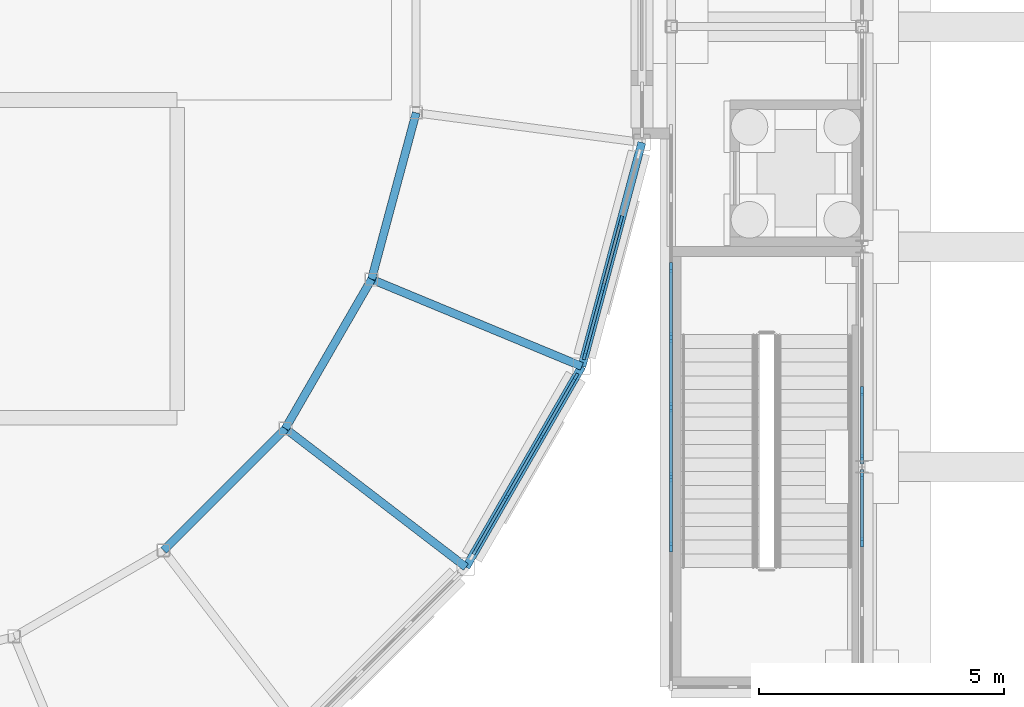
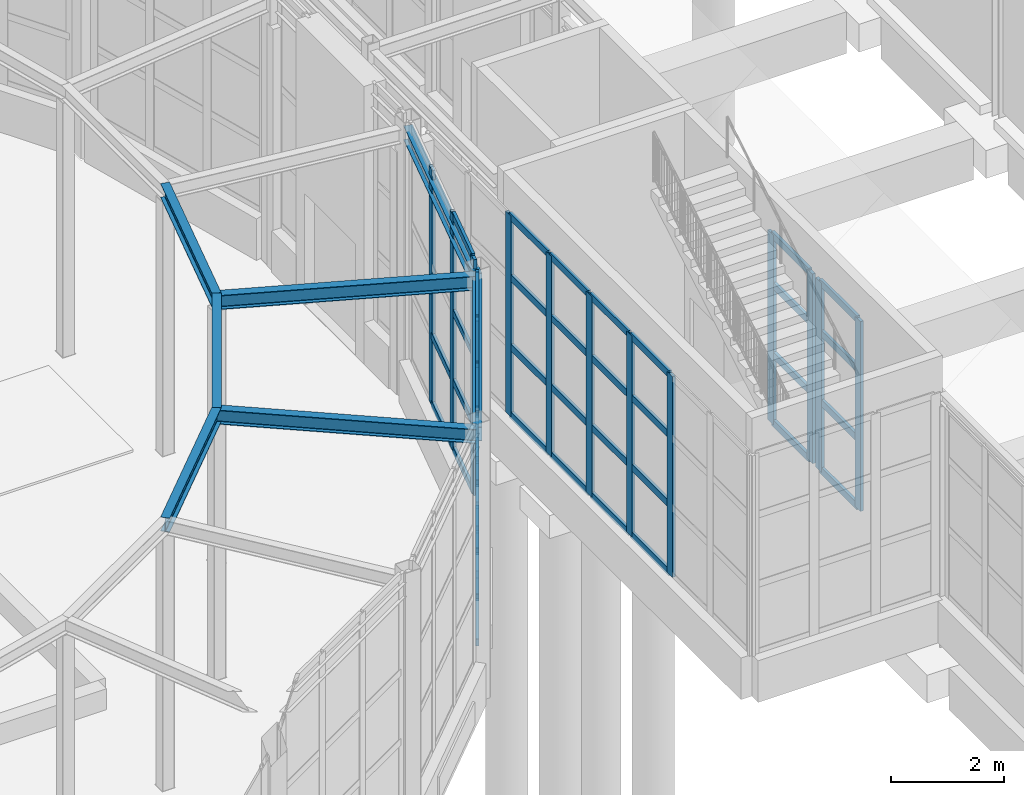
# One storey, part 40 of 106: 57 members, 7 beams, 5 elements without a shape of their own.
"""IFC4 building model written with IfcOpenShell, lengths in metres."""

from ifc_helpers import new_model, si_unit, direction, frame, origin, origin_2d, place, context, subcontext, project, spatial, rectangle, i_section, extrude, material, layer, layer_set, material_profile, profile_set, type_object, element, aggregate, save


model = new_model("IFC4")

# Units and contexts
model_context = context("Model", 3, precision=1e-05, world=origin(), true_north=direction((0.0, 1.0)))
body_context = subcontext(model_context, "Body", "Model", "MODEL_VIEW")
ifc_project = project(units=[si_unit("LENGTHUNIT", "METRE"), si_unit("AREAUNIT", "SQUARE_METRE"), si_unit("VOLUMEUNIT", "CUBIC_METRE"), si_unit("PLANEANGLEUNIT", "RADIAN"), si_unit("MASSUNIT", "GRAM", prefix="KILO")], contexts=[model_context])

# Site, building, storey
site_placement = place(None, origin())
site = spatial("IfcSite", under=ifc_project, at=site_placement, CompositionType="ELEMENT")
building_placement = place(site_placement, origin())
building = spatial("IfcBuilding", under=site, at=building_placement, Name="Hortulan Conservatory and Botanical Research Centre", CompositionType="ELEMENT")
storey_placement = place(building_placement, origin())
storey = spatial("IfcBuildingStorey", under=building, at=storey_placement, Name="L00", CompositionType="ELEMENT", Elevation=0.0)

# Curtain wall, members
ifc_material_1 = material(Name="Bronze-finished aluminium", Category="aluminium")
ifc_layer = layer(ifc_material_1, 0.10009765625)
ifc_layer_set = layer_set([ifc_layer], Name="Bronze-framed Curtain Wall 1500 module")
curtain_wall_type = type_object("IfcCurtainWallType", Name="Bronze-framed Curtain Wall 1500 module", PredefinedType="NOTDEFINED", material=ifc_layer_set)
curtain_wall_1_placement = place(storey_placement, origin())
curtain_wall_1 = element("IfcCurtainWall", 1, at=curtain_wall_1_placement, inside=storey, type_object=curtain_wall_type, Name="Curtain wall", PredefinedType="NOTDEFINED")
ifc_material_profile_1 = material_profile(ifc_material_1, rectangle(XDim=0.06005859375, YDim=0.199951171875, at=origin_2d()), Name="Bronze Mullion 60x200")
ifc_profile_set_1 = profile_set([ifc_material_profile_1], Name="Bronze-finished aluminium")
member_type_1 = type_object("IfcMemberType", Name="Bronze Mullion 60x200", PredefinedType="MULLION", material=ifc_profile_set_1)
member_1_placement = place(storey_placement, frame((70.638671875, 10.81884765625, 0.89990234375), z_axis=(0.0, 0.0, 1.0), x_axis=(0.866036280655, -0.499981160235, 0.0)))
member_1 = element("IfcMember", 2, at=member_1_placement, type_object=member_type_1, Name="CW1 mullion 1", PredefinedType="MULLION", context=body_context, shape_type="SweptSolid", body=[
    extrude(rectangle(XDim=0.06005859375, YDim=0.199951171875, at=origin_2d()), origin(), (0.0, 0.0, 1.0), 5.10009765625),
])
member_2_placement = place(storey_placement, frame((69.943603515625, 9.614990234375, 0.89990234375), z_axis=(0.0, 0.0, 1.0), x_axis=(0.866036280655, -0.499981160235, 0.0)))
member_2 = element("IfcMember", 3, at=member_2_placement, type_object=member_type_1, Name="CW1 mullion 2", PredefinedType="MULLION", context=body_context, shape_type="SweptSolid", body=[
    extrude(rectangle(XDim=0.06005859375, YDim=0.199951171875, at=origin_2d()), origin(), (0.0, 0.0, 1.0), 5.10009765625),
])
member_3_placement = place(storey_placement, frame((69.2333984375, 8.385009765625, 0.89990234375), z_axis=(0.0, 0.0, 1.0), x_axis=(0.866036280655, -0.499981160235, 0.0)))
member_3 = element("IfcMember", 4, at=member_3_placement, type_object=member_type_1, Name="CW1 mullion 3", PredefinedType="MULLION", context=body_context, shape_type="SweptSolid", body=[
    extrude(rectangle(XDim=0.06005859375, YDim=0.199951171875, at=origin_2d()), origin(), (0.0, 0.0, 1.0), 5.10009765625),
])

curtain_wall_2_placement = place(storey_placement, origin())
curtain_wall_2 = element("IfcCurtainWall", 5, at=curtain_wall_2_placement, inside=storey, type_object=curtain_wall_type, Name="Curtain wall", PredefinedType="NOTDEFINED")
member_4_placement = place(storey_placement, frame((71.572509765625, 14.034912109375, 0.89990234375), z_axis=(0.0, 0.0, 1.0), x_axis=(0.965922372015, -0.258831936284, 0.0)))
member_4 = element("IfcMember", 6, at=member_4_placement, type_object=member_type_1, Name="CW1 mullion 2", PredefinedType="MULLION", context=body_context, shape_type="SweptSolid", body=[
    extrude(rectangle(XDim=0.06005859375, YDim=0.199951171875, at=origin_2d()), origin(), (0.0, 0.0, 1.0), 5.10009765625),
])
member_5_placement = place(storey_placement, frame((71.20068359375, 12.64697265625, 0.89990234375), z_axis=(0.0, 0.0, 1.0), x_axis=(0.965922372015, -0.258831936284, 0.0)))
member_5 = element("IfcMember", 7, at=member_5_placement, type_object=member_type_1, Name="CW1 mullion 3", PredefinedType="MULLION", context=body_context, shape_type="SweptSolid", body=[
    extrude(rectangle(XDim=0.06005859375, YDim=0.199951171875, at=origin_2d()), origin(), (0.0, 0.0, 1.0), 5.10009765625),
])
member_6_placement = place(storey_placement, frame((70.83642578125, 11.2880859375, 0.89990234375), z_axis=(0.0, 0.0, 1.0), x_axis=(0.965922372015, -0.258831936284, 0.0)))
member_6 = element("IfcMember", 8, at=member_6_placement, type_object=member_type_1, Name="CW1 mullion 4", PredefinedType="MULLION", context=body_context, shape_type="SweptSolid", body=[
    extrude(rectangle(XDim=0.06005859375, YDim=0.199951171875, at=origin_2d()), origin(), (0.0, 0.0, 1.0), 5.10009765625),
])

curtain_wall_3_placement = place(storey_placement, origin())
curtain_wall_3 = element("IfcCurtainWall", 9, at=curtain_wall_3_placement, inside=storey, type_object=curtain_wall_type, Name="Curtain wall", PredefinedType="NOTDEFINED")
member_7_placement = place(storey_placement, frame((72.60009765625, 7.357666015625, 0.89990234375), z_axis=(0.0, 0.0, 1.0), x_axis=(-1.0, 0.0, 0.0)))
member_7 = element("IfcMember", 10, at=member_7_placement, type_object=member_type_1, Name="CW1 mullion 3", PredefinedType="MULLION", context=body_context, shape_type="SweptSolid", body=[
    extrude(rectangle(XDim=0.06005859375, YDim=0.199951171875, at=origin_2d()), origin(), (0.0, 0.0, 1.0), 4.340087890625),
])
member_8_placement = place(storey_placement, frame((72.60009765625, 8.786376953125, 0.89990234375), z_axis=(0.0, 0.0, 1.0), x_axis=(-1.0, 0.0, 0.0)))
member_8 = element("IfcMember", 11, at=member_8_placement, type_object=member_type_1, Name="CW1 mullion 4", PredefinedType="MULLION", context=body_context, shape_type="SweptSolid", body=[
    extrude(rectangle(XDim=0.06005859375, YDim=0.199951171875, at=origin_2d()), origin(), (0.0, 0.0, 1.0), 4.340087890625),
])
member_9_placement = place(storey_placement, frame((72.60009765625, 10.215087890625, 0.89990234375), z_axis=(0.0, 0.0, 1.0), x_axis=(-1.0, 0.0, 0.0)))
member_9 = element("IfcMember", 12, at=member_9_placement, type_object=member_type_1, Name="CW1 mullion 5", PredefinedType="MULLION", context=body_context, shape_type="SweptSolid", body=[
    extrude(rectangle(XDim=0.06005859375, YDim=0.199951171875, at=origin_2d()), origin(), (0.0, 0.0, 1.0), 4.340087890625),
])
member_10_placement = place(storey_placement, frame((72.60009765625, 11.64404296875, 0.89990234375), z_axis=(0.0, 0.0, 1.0), x_axis=(-1.0, 0.0, 0.0)))
member_10 = element("IfcMember", 13, at=member_10_placement, type_object=member_type_1, Name="CW1 mullion 6", PredefinedType="MULLION", context=body_context, shape_type="SweptSolid", body=[
    extrude(rectangle(XDim=0.06005859375, YDim=0.199951171875, at=origin_2d()), origin(), (0.0, 0.0, 1.0), 4.340087890625),
])
member_11_placement = place(storey_placement, frame((72.60009765625, 13.07275390625, 0.89990234375), z_axis=(0.0, 0.0, 1.0), x_axis=(-1.0, 0.0, 0.0)))
member_11 = element("IfcMember", 14, at=member_11_placement, type_object=member_type_1, Name="CW1 mullion 7", PredefinedType="MULLION", context=body_context, shape_type="SweptSolid", body=[
    extrude(rectangle(XDim=0.06005859375, YDim=0.199951171875, at=origin_2d()), origin(), (0.0, 0.0, 1.0), 4.340087890625),
])

curtain_wall_4_placement = place(storey_placement, origin())
curtain_wall_4 = element("IfcCurtainWall", 15, at=curtain_wall_4_placement, inside=storey, type_object=curtain_wall_type, Name="Curtain wall", PredefinedType="NOTDEFINED")
member_12_placement = place(storey_placement, frame((76.5, 10.542236328125, 0.89990234375), z_axis=(0.0, 0.0, 1.0), x_axis=(1.0, 0.0, 0.0)))
member_12 = element("IfcMember", 16, at=member_12_placement, type_object=member_type_1, Name="CW1 mullion 3", PredefinedType="MULLION", context=body_context, shape_type="SweptSolid", body=[
    extrude(rectangle(XDim=0.06005859375, YDim=0.199951171875, at=origin_2d()), origin(), (0.0, 0.0, 1.0), 4.10009765625),
])
member_13_placement = place(storey_placement, frame((76.5, 9.156982421875, 0.89990234375), z_axis=(0.0, 0.0, 1.0), x_axis=(1.0, 0.0, 0.0)))
member_13 = element("IfcMember", 17, at=member_13_placement, type_object=member_type_1, Name="CW1 mullion 4", PredefinedType="MULLION", context=body_context, shape_type="SweptSolid", body=[
    extrude(rectangle(XDim=0.06005859375, YDim=0.199951171875, at=origin_2d()), origin(), (0.0, 0.0, 1.0), 4.10009765625),
])

curtain_wall_5_placement = place(storey_placement, origin())
curtain_wall_5 = element("IfcCurtainWall", 18, at=curtain_wall_5_placement, inside=storey, type_object=curtain_wall_type, Name="Curtain wall", PredefinedType="NOTDEFINED")
member_14_placement = place(storey_placement, frame((76.5, 8.843017578125, 0.89990234375), z_axis=(0.0, 0.0, 1.0), x_axis=(1.0, 0.0, 0.0)))
member_14 = element("IfcMember", 19, at=member_14_placement, type_object=member_type_1, Name="CW1 mullion 1", PredefinedType="MULLION", context=body_context, shape_type="SweptSolid", body=[
    extrude(rectangle(XDim=0.06005859375, YDim=0.199951171875, at=origin_2d()), origin(), (0.0, 0.0, 1.0), 4.10009765625),
])
member_15_placement = place(storey_placement, frame((76.5, 7.457763671875, 0.89990234375), z_axis=(0.0, 0.0, 1.0), x_axis=(1.0, 0.0, 0.0)))
member_15 = element("IfcMember", 20, at=member_15_placement, type_object=member_type_1, Name="CW1 mullion 2", PredefinedType="MULLION", context=body_context, shape_type="SweptSolid", body=[
    extrude(rectangle(XDim=0.06005859375, YDim=0.199951171875, at=origin_2d()), origin(), (0.0, 0.0, 1.0), 4.10009765625),
])

# Member
ifc_material_profile_2 = material_profile(ifc_material_1, rectangle(XDim=0.06005859375, YDim=0.14990234375, at=origin_2d()), Name="Bronze Transom 60x150")
ifc_profile_set_2 = profile_set([ifc_material_profile_2], Name="Bronze-finished aluminium")
member_type_2 = type_object("IfcMemberType", Name="Bronze Transom 60x150", PredefinedType="USERDEFINED", material=ifc_profile_set_2)
member_16_placement = place(storey_placement, frame((70.62353515625, 10.79296875, 0.929931640625), z_axis=(-0.499928984136, -0.866066400931, 0.0), x_axis=(0.866066400931, -0.499928984136, 0.0)))
member_16 = element("IfcMember", 21, at=member_16_placement, type_object=member_type_2, Name="CW1 transom 1.1", ObjectType="TRANSOM", PredefinedType="USERDEFINED", context=body_context, shape_type="SweptSolid", body=[
    extrude(rectangle(XDim=0.06005859375, YDim=0.14990234375, at=origin_2d()), origin(), (0.0, 0.0, 1.0), 1.330322265625),
])

member_17_placement = place(storey_placement, frame((70.62353515625, 10.79296875, 2.39990234375), z_axis=(-0.499928984136, -0.866066400931, 0.0), x_axis=(0.866066400931, -0.499928984136, 0.0)))
member_17 = element("IfcMember", 22, at=member_17_placement, type_object=member_type_2, Name="CW1 transom 1.2", ObjectType="TRANSOM", PredefinedType="USERDEFINED", context=body_context, shape_type="SweptSolid", body=[
    extrude(rectangle(XDim=0.06005859375, YDim=0.14990234375, at=origin_2d()), origin(), (0.0, 0.0, 1.0), 1.330322265625),
])

member_18_placement = place(storey_placement, frame((70.62353515625, 10.79296875, 3.89990234375), z_axis=(-0.499928984136, -0.866066400931, 0.0), x_axis=(0.866066400931, -0.499928984136, 0.0)))
member_18 = element("IfcMember", 23, at=member_18_placement, type_object=member_type_2, Name="CW1 transom 1.3", ObjectType="TRANSOM", PredefinedType="USERDEFINED", context=body_context, shape_type="SweptSolid", body=[
    extrude(rectangle(XDim=0.06005859375, YDim=0.14990234375, at=origin_2d()), origin(), (0.0, 0.0, 1.0), 1.330322265625),
])

member_19_placement = place(storey_placement, frame((70.62353515625, 10.79296875, 5.969970703125), z_axis=(-0.499928984136, -0.866066400931, 0.0), x_axis=(0.866066400931, -0.499928984136, 0.0)))
member_19 = element("IfcMember", 24, at=member_19_placement, type_object=member_type_2, Name="CW1 transom 1.4", ObjectType="TRANSOM", PredefinedType="USERDEFINED", context=body_context, shape_type="SweptSolid", body=[
    extrude(rectangle(XDim=0.06005859375, YDim=0.14990234375, at=origin_2d()), origin(), (0.0, 0.0, 1.0), 1.330322265625),
])

member_20_placement = place(storey_placement, frame((69.928466796875, 9.5888671875, 0.929931640625), z_axis=(-0.499981459473, -0.866036107898, 0.0), x_axis=(0.866036107898, -0.499981459473, 0.0)))
member_20 = element("IfcMember", 25, at=member_20_placement, type_object=member_type_2, Name="CW1 transom 2.1", ObjectType="TRANSOM", PredefinedType="USERDEFINED", context=body_context, shape_type="SweptSolid", body=[
    extrude(rectangle(XDim=0.06005859375, YDim=0.14990234375, at=origin_2d()), origin(), (0.0, 0.0, 1.0), 1.35986328125),
])

member_21_placement = place(storey_placement, frame((69.928466796875, 9.5888671875, 2.39990234375), z_axis=(-0.499981459473, -0.866036107898, 0.0), x_axis=(0.866036107898, -0.499981459473, 0.0)))
member_21 = element("IfcMember", 26, at=member_21_placement, type_object=member_type_2, Name="CW1 transom 2.2", ObjectType="TRANSOM", PredefinedType="USERDEFINED", context=body_context, shape_type="SweptSolid", body=[
    extrude(rectangle(XDim=0.06005859375, YDim=0.14990234375, at=origin_2d()), origin(), (0.0, 0.0, 1.0), 1.35986328125),
])

member_22_placement = place(storey_placement, frame((69.928466796875, 9.5888671875, 3.89990234375), z_axis=(-0.499981459473, -0.866036107898, 0.0), x_axis=(0.866036107898, -0.499981459473, 0.0)))
member_22 = element("IfcMember", 27, at=member_22_placement, type_object=member_type_2, Name="CW1 transom 2.3", ObjectType="TRANSOM", PredefinedType="USERDEFINED", context=body_context, shape_type="SweptSolid", body=[
    extrude(rectangle(XDim=0.06005859375, YDim=0.14990234375, at=origin_2d()), origin(), (0.0, 0.0, 1.0), 1.35986328125),
])

member_23_placement = place(storey_placement, frame((69.928466796875, 9.5888671875, 5.969970703125), z_axis=(-0.499981459473, -0.866036107898, 0.0), x_axis=(0.866036107898, -0.499981459473, 0.0)))
member_23 = element("IfcMember", 28, at=member_23_placement, type_object=member_type_2, Name="CW1 transom 2.4", ObjectType="TRANSOM", PredefinedType="USERDEFINED", context=body_context, shape_type="SweptSolid", body=[
    extrude(rectangle(XDim=0.06005859375, YDim=0.14990234375, at=origin_2d()), origin(), (0.0, 0.0, 1.0), 1.35986328125),
])

member_24_placement = place(storey_placement, frame((69.218505859375, 8.359130859375, 0.929931640625), z_axis=(-0.499928984136, -0.866066400931, 0.0), x_axis=(0.866066400931, -0.499928984136, 0.0)))
member_24 = element("IfcMember", 29, at=member_24_placement, type_object=member_type_2, Name="CW1 transom 3.1", ObjectType="TRANSOM", PredefinedType="USERDEFINED", context=body_context, shape_type="SweptSolid", body=[
    extrude(rectangle(XDim=0.06005859375, YDim=0.14990234375, at=origin_2d()), origin(), (0.0, 0.0, 1.0), 1.330322265625),
])

member_25_placement = place(storey_placement, frame((69.218505859375, 8.359130859375, 2.39990234375), z_axis=(-0.499928984136, -0.866066400931, 0.0), x_axis=(0.866066400931, -0.499928984136, 0.0)))
member_25 = element("IfcMember", 30, at=member_25_placement, type_object=member_type_2, Name="CW1 transom 3.2", ObjectType="TRANSOM", PredefinedType="USERDEFINED", context=body_context, shape_type="SweptSolid", body=[
    extrude(rectangle(XDim=0.06005859375, YDim=0.14990234375, at=origin_2d()), origin(), (0.0, 0.0, 1.0), 1.330322265625),
])

member_26_placement = place(storey_placement, frame((69.218505859375, 8.359130859375, 3.89990234375), z_axis=(-0.499928984136, -0.866066400931, 0.0), x_axis=(0.866066400931, -0.499928984136, 0.0)))
member_26 = element("IfcMember", 31, at=member_26_placement, type_object=member_type_2, Name="CW1 transom 3.3", ObjectType="TRANSOM", PredefinedType="USERDEFINED", context=body_context, shape_type="SweptSolid", body=[
    extrude(rectangle(XDim=0.06005859375, YDim=0.14990234375, at=origin_2d()), origin(), (0.0, 0.0, 1.0), 1.330322265625),
])

member_27_placement = place(storey_placement, frame((69.218505859375, 8.359130859375, 5.969970703125), z_axis=(-0.499928984136, -0.866066400931, 0.0), x_axis=(0.866066400931, -0.499928984136, 0.0)))
member_27 = element("IfcMember", 32, at=member_27_placement, type_object=member_type_2, Name="CW1 transom 3.4", ObjectType="TRANSOM", PredefinedType="USERDEFINED", context=body_context, shape_type="SweptSolid", body=[
    extrude(rectangle(XDim=0.06005859375, YDim=0.14990234375, at=origin_2d()), origin(), (0.0, 0.0, 1.0), 1.330322265625),
])

aggregate(curtain_wall_1, [member_1, member_2, member_3, member_16, member_17, member_18, member_19, member_20, member_21, member_22, member_23, member_24, member_25, member_26, member_27])

member_28_placement = place(storey_placement, frame((71.564697265625, 14.006103515625, 0.929931640625), z_axis=(-0.258688817498, -0.965960711262, 0.0), x_axis=(0.965960711262, -0.258688817498, 0.0)))
member_28 = element("IfcMember", 33, at=member_28_placement, type_object=member_type_2, Name="CW1 transom 2.1", ObjectType="TRANSOM", PredefinedType="USERDEFINED", context=body_context, shape_type="SweptSolid", body=[
    extrude(rectangle(XDim=0.06005859375, YDim=0.14990234375, at=origin_2d()), origin(), (0.0, 0.0, 1.0), 1.376953125),
])

member_29_placement = place(storey_placement, frame((71.564697265625, 14.006103515625, 2.39990234375), z_axis=(-0.258688817498, -0.965960711262, 0.0), x_axis=(0.965960711262, -0.258688817498, 0.0)))
member_29 = element("IfcMember", 34, at=member_29_placement, type_object=member_type_2, Name="CW1 transom 2.2", ObjectType="TRANSOM", PredefinedType="USERDEFINED", context=body_context, shape_type="SweptSolid", body=[
    extrude(rectangle(XDim=0.06005859375, YDim=0.14990234375, at=origin_2d()), origin(), (0.0, 0.0, 1.0), 1.376953125),
])

member_30_placement = place(storey_placement, frame((71.19287109375, 12.617919921875, 0.929931640625), z_axis=(-0.258835745824, -0.965921351189, 0.0), x_axis=(0.965921351189, -0.258835745824, 0.0)))
member_30 = element("IfcMember", 35, at=member_30_placement, type_object=member_type_2, Name="CW1 transom 3.1", ObjectType="TRANSOM", PredefinedType="USERDEFINED", context=body_context, shape_type="SweptSolid", body=[
    extrude(rectangle(XDim=0.06005859375, YDim=0.14990234375, at=origin_2d()), origin(), (0.0, 0.0, 1.0), 1.346923828125),
])

member_31_placement = place(storey_placement, frame((71.19287109375, 12.617919921875, 2.39990234375), z_axis=(-0.258835745824, -0.965921351189, 0.0), x_axis=(0.965921351189, -0.258835745824, 0.0)))
member_31 = element("IfcMember", 36, at=member_31_placement, type_object=member_type_2, Name="CW1 transom 3.2", ObjectType="TRANSOM", PredefinedType="USERDEFINED", context=body_context, shape_type="SweptSolid", body=[
    extrude(rectangle(XDim=0.06005859375, YDim=0.14990234375, at=origin_2d()), origin(), (0.0, 0.0, 1.0), 1.346923828125),
])

member_32_placement = place(storey_placement, frame((71.19287109375, 12.617919921875, 3.89990234375), z_axis=(-0.258835745824, -0.965921351189, 0.0), x_axis=(0.965921351189, -0.258835745824, 0.0)))
member_32 = element("IfcMember", 37, at=member_32_placement, type_object=member_type_2, Name="CW1 transom 3.3", ObjectType="TRANSOM", PredefinedType="USERDEFINED", context=body_context, shape_type="SweptSolid", body=[
    extrude(rectangle(XDim=0.06005859375, YDim=0.14990234375, at=origin_2d()), origin(), (0.0, 0.0, 1.0), 1.346923828125),
])

member_33_placement = place(storey_placement, frame((71.19287109375, 12.617919921875, 5.969970703125), z_axis=(-0.258835745824, -0.965921351189, 0.0), x_axis=(0.965921351189, -0.258835745824, 0.0)))
member_33 = element("IfcMember", 38, at=member_33_placement, type_object=member_type_2, Name="CW1 transom 3.4", ObjectType="TRANSOM", PredefinedType="USERDEFINED", context=body_context, shape_type="SweptSolid", body=[
    extrude(rectangle(XDim=0.06005859375, YDim=0.14990234375, at=origin_2d()), origin(), (0.0, 0.0, 1.0), 1.346923828125),
])

aggregate(curtain_wall_2, [member_4, member_5, member_6, member_28, member_29, member_30, member_31, member_32, member_33])

member_34_placement = place(storey_placement, frame((72.60009765625, 7.3876953125, 0.929931640625), z_axis=(0.0, 1.0, 0.0), x_axis=(-1.0, 0.0, 0.0)))
member_34 = element("IfcMember", 39, at=member_34_placement, type_object=member_type_2, Name="CW1 transom 3.1", ObjectType="TRANSOM", PredefinedType="USERDEFINED", context=body_context, shape_type="SweptSolid", body=[
    extrude(rectangle(XDim=0.06005859375, YDim=0.14990234375, at=origin_2d()), origin(), (0.0, 0.0, 1.0), 1.36865234375),
])

member_35_placement = place(storey_placement, frame((72.60009765625, 7.3876953125, 2.39990234375), z_axis=(0.0, 1.0, 0.0), x_axis=(-1.0, 0.0, 0.0)))
member_35 = element("IfcMember", 40, at=member_35_placement, type_object=member_type_2, Name="CW1 transom 3.2", ObjectType="TRANSOM", PredefinedType="USERDEFINED", context=body_context, shape_type="SweptSolid", body=[
    extrude(rectangle(XDim=0.06005859375, YDim=0.14990234375, at=origin_2d()), origin(), (0.0, 0.0, 1.0), 1.36865234375),
])

member_36_placement = place(storey_placement, frame((72.60009765625, 7.3876953125, 3.89990234375), z_axis=(0.0, 1.0, 0.0), x_axis=(-1.0, 0.0, 0.0)))
member_36 = element("IfcMember", 41, at=member_36_placement, type_object=member_type_2, Name="CW1 transom 3.3", ObjectType="TRANSOM", PredefinedType="USERDEFINED", context=body_context, shape_type="SweptSolid", body=[
    extrude(rectangle(XDim=0.06005859375, YDim=0.14990234375, at=origin_2d()), origin(), (0.0, 0.0, 1.0), 1.36865234375),
])

member_37_placement = place(storey_placement, frame((72.60009765625, 7.3876953125, 5.2099609375), z_axis=(0.0, 1.0, 0.0), x_axis=(-1.0, 0.0, 0.0)))
member_37 = element("IfcMember", 42, at=member_37_placement, type_object=member_type_2, Name="CW1 transom 3.4", ObjectType="TRANSOM", PredefinedType="USERDEFINED", context=body_context, shape_type="SweptSolid", body=[
    extrude(rectangle(XDim=0.06005859375, YDim=0.14990234375, at=origin_2d()), origin(), (0.0, 0.0, 1.0), 1.36865234375),
])

member_38_placement = place(storey_placement, frame((72.60009765625, 8.81640625, 0.929931640625), z_axis=(0.0, 1.0, 0.0), x_axis=(-1.0, 0.0, 0.0)))
member_38 = element("IfcMember", 43, at=member_38_placement, type_object=member_type_2, Name="CW1 transom 4.1", ObjectType="TRANSOM", PredefinedType="USERDEFINED", context=body_context, shape_type="SweptSolid", body=[
    extrude(rectangle(XDim=0.06005859375, YDim=0.14990234375, at=origin_2d()), origin(), (0.0, 0.0, 1.0), 1.36865234375),
])

member_39_placement = place(storey_placement, frame((72.60009765625, 8.81640625, 2.39990234375), z_axis=(0.0, 1.0, 0.0), x_axis=(-1.0, 0.0, 0.0)))
member_39 = element("IfcMember", 44, at=member_39_placement, type_object=member_type_2, Name="CW1 transom 4.2", ObjectType="TRANSOM", PredefinedType="USERDEFINED", context=body_context, shape_type="SweptSolid", body=[
    extrude(rectangle(XDim=0.06005859375, YDim=0.14990234375, at=origin_2d()), origin(), (0.0, 0.0, 1.0), 1.36865234375),
])

member_40_placement = place(storey_placement, frame((72.60009765625, 8.81640625, 3.89990234375), z_axis=(0.0, 1.0, 0.0), x_axis=(-1.0, 0.0, 0.0)))
member_40 = element("IfcMember", 45, at=member_40_placement, type_object=member_type_2, Name="CW1 transom 4.3", ObjectType="TRANSOM", PredefinedType="USERDEFINED", context=body_context, shape_type="SweptSolid", body=[
    extrude(rectangle(XDim=0.06005859375, YDim=0.14990234375, at=origin_2d()), origin(), (0.0, 0.0, 1.0), 1.36865234375),
])

member_41_placement = place(storey_placement, frame((72.60009765625, 8.81640625, 5.2099609375), z_axis=(0.0, 1.0, 0.0), x_axis=(-1.0, 0.0, 0.0)))
member_41 = element("IfcMember", 46, at=member_41_placement, type_object=member_type_2, Name="CW1 transom 4.4", ObjectType="TRANSOM", PredefinedType="USERDEFINED", context=body_context, shape_type="SweptSolid", body=[
    extrude(rectangle(XDim=0.06005859375, YDim=0.14990234375, at=origin_2d()), origin(), (0.0, 0.0, 1.0), 1.36865234375),
])

member_42_placement = place(storey_placement, frame((72.60009765625, 10.2451171875, 0.929931640625), z_axis=(0.0, 1.0, 0.0), x_axis=(-1.0, 0.0, 0.0)))
member_42 = element("IfcMember", 47, at=member_42_placement, type_object=member_type_2, Name="CW1 transom 5.1", ObjectType="TRANSOM", PredefinedType="USERDEFINED", context=body_context, shape_type="SweptSolid", body=[
    extrude(rectangle(XDim=0.06005859375, YDim=0.14990234375, at=origin_2d()), origin(), (0.0, 0.0, 1.0), 1.368896484375),
])

member_43_placement = place(storey_placement, frame((72.60009765625, 10.2451171875, 2.39990234375), z_axis=(0.0, 1.0, 0.0), x_axis=(-1.0, 0.0, 0.0)))
member_43 = element("IfcMember", 48, at=member_43_placement, type_object=member_type_2, Name="CW1 transom 5.2", ObjectType="TRANSOM", PredefinedType="USERDEFINED", context=body_context, shape_type="SweptSolid", body=[
    extrude(rectangle(XDim=0.06005859375, YDim=0.14990234375, at=origin_2d()), origin(), (0.0, 0.0, 1.0), 1.368896484375),
])

member_44_placement = place(storey_placement, frame((72.60009765625, 10.2451171875, 3.89990234375), z_axis=(0.0, 1.0, 0.0), x_axis=(-1.0, 0.0, 0.0)))
member_44 = element("IfcMember", 49, at=member_44_placement, type_object=member_type_2, Name="CW1 transom 5.3", ObjectType="TRANSOM", PredefinedType="USERDEFINED", context=body_context, shape_type="SweptSolid", body=[
    extrude(rectangle(XDim=0.06005859375, YDim=0.14990234375, at=origin_2d()), origin(), (0.0, 0.0, 1.0), 1.368896484375),
])

member_45_placement = place(storey_placement, frame((72.60009765625, 10.2451171875, 5.2099609375), z_axis=(0.0, 1.0, 0.0), x_axis=(-1.0, 0.0, 0.0)))
member_45 = element("IfcMember", 50, at=member_45_placement, type_object=member_type_2, Name="CW1 transom 5.4", ObjectType="TRANSOM", PredefinedType="USERDEFINED", context=body_context, shape_type="SweptSolid", body=[
    extrude(rectangle(XDim=0.06005859375, YDim=0.14990234375, at=origin_2d()), origin(), (0.0, 0.0, 1.0), 1.368896484375),
])

member_46_placement = place(storey_placement, frame((72.60009765625, 11.673828125, 0.929931640625), z_axis=(0.0, 1.0, 0.0), x_axis=(-1.0, 0.0, 0.0)))
member_46 = element("IfcMember", 51, at=member_46_placement, type_object=member_type_2, Name="CW1 transom 6.1", ObjectType="TRANSOM", PredefinedType="USERDEFINED", context=body_context, shape_type="SweptSolid", body=[
    extrude(rectangle(XDim=0.06005859375, YDim=0.14990234375, at=origin_2d()), origin(), (0.0, 0.0, 1.0), 1.368896484375),
])

member_47_placement = place(storey_placement, frame((72.60009765625, 11.673828125, 2.39990234375), z_axis=(0.0, 1.0, 0.0), x_axis=(-1.0, 0.0, 0.0)))
member_47 = element("IfcMember", 52, at=member_47_placement, type_object=member_type_2, Name="CW1 transom 6.2", ObjectType="TRANSOM", PredefinedType="USERDEFINED", context=body_context, shape_type="SweptSolid", body=[
    extrude(rectangle(XDim=0.06005859375, YDim=0.14990234375, at=origin_2d()), origin(), (0.0, 0.0, 1.0), 1.368896484375),
])

member_48_placement = place(storey_placement, frame((72.60009765625, 11.673828125, 3.89990234375), z_axis=(0.0, 1.0, 0.0), x_axis=(-1.0, 0.0, 0.0)))
member_48 = element("IfcMember", 53, at=member_48_placement, type_object=member_type_2, Name="CW1 transom 6.3", ObjectType="TRANSOM", PredefinedType="USERDEFINED", context=body_context, shape_type="SweptSolid", body=[
    extrude(rectangle(XDim=0.06005859375, YDim=0.14990234375, at=origin_2d()), origin(), (0.0, 0.0, 1.0), 1.368896484375),
])

member_49_placement = place(storey_placement, frame((72.60009765625, 11.673828125, 5.2099609375), z_axis=(0.0, 1.0, 0.0), x_axis=(-1.0, 0.0, 0.0)))
member_49 = element("IfcMember", 54, at=member_49_placement, type_object=member_type_2, Name="CW1 transom 6.4", ObjectType="TRANSOM", PredefinedType="USERDEFINED", context=body_context, shape_type="SweptSolid", body=[
    extrude(rectangle(XDim=0.06005859375, YDim=0.14990234375, at=origin_2d()), origin(), (0.0, 0.0, 1.0), 1.368896484375),
])

aggregate(curtain_wall_3, [member_7, member_8, member_9, member_10, member_11, member_34, member_35, member_36, member_37, member_38, member_39, member_40, member_41, member_42, member_43, member_44, member_45, member_46, member_47, member_48, member_49])

member_50_placement = place(storey_placement, frame((76.5, 10.512451171875, 0.929931640625), z_axis=(0.0, -1.0, 0.0), x_axis=(1.0, 0.0, 0.0)))
member_50 = element("IfcMember", 55, at=member_50_placement, type_object=member_type_2, Name="CW1 transom 3.1", ObjectType="TRANSOM", PredefinedType="USERDEFINED", context=body_context, shape_type="SweptSolid", body=[
    extrude(rectangle(XDim=0.06005859375, YDim=0.14990234375, at=origin_2d()), origin(), (0.0, 0.0, 1.0), 1.325439453125),
])

member_51_placement = place(storey_placement, frame((76.5, 10.512451171875, 2.39990234375), z_axis=(0.0, -1.0, 0.0), x_axis=(1.0, 0.0, 0.0)))
member_51 = element("IfcMember", 56, at=member_51_placement, type_object=member_type_2, Name="CW1 transom 3.2", ObjectType="TRANSOM", PredefinedType="USERDEFINED", context=body_context, shape_type="SweptSolid", body=[
    extrude(rectangle(XDim=0.06005859375, YDim=0.14990234375, at=origin_2d()), origin(), (0.0, 0.0, 1.0), 1.325439453125),
])

member_52_placement = place(storey_placement, frame((76.5, 10.512451171875, 3.89990234375), z_axis=(0.0, -1.0, 0.0), x_axis=(1.0, 0.0, 0.0)))
member_52 = element("IfcMember", 57, at=member_52_placement, type_object=member_type_2, Name="CW1 transom 3.3", ObjectType="TRANSOM", PredefinedType="USERDEFINED", context=body_context, shape_type="SweptSolid", body=[
    extrude(rectangle(XDim=0.06005859375, YDim=0.14990234375, at=origin_2d()), origin(), (0.0, 0.0, 1.0), 1.325439453125),
])

member_53_placement = place(storey_placement, frame((76.5, 10.512451171875, 4.969970703125), z_axis=(0.0, -1.0, 0.0), x_axis=(1.0, 0.0, 0.0)))
member_53 = element("IfcMember", 58, at=member_53_placement, type_object=member_type_2, Name="CW1 transom 3.4", ObjectType="TRANSOM", PredefinedType="USERDEFINED", context=body_context, shape_type="SweptSolid", body=[
    extrude(rectangle(XDim=0.06005859375, YDim=0.14990234375, at=origin_2d()), origin(), (0.0, 0.0, 1.0), 1.325439453125),
])

aggregate(curtain_wall_4, [member_12, member_13, member_50, member_51, member_52, member_53])

member_54_placement = place(storey_placement, frame((76.5, 8.81298828125, 0.929931640625), z_axis=(0.0, -1.0, 0.0), x_axis=(1.0, 0.0, 0.0)))
member_54 = element("IfcMember", 59, at=member_54_placement, type_object=member_type_2, Name="CW1 transom 1.1", ObjectType="TRANSOM", PredefinedType="USERDEFINED", context=body_context, shape_type="SweptSolid", body=[
    extrude(rectangle(XDim=0.06005859375, YDim=0.14990234375, at=origin_2d()), origin(), (0.0, 0.0, 1.0), 1.325439453125),
])

member_55_placement = place(storey_placement, frame((76.5, 8.81298828125, 2.39990234375), z_axis=(0.0, -1.0, 0.0), x_axis=(1.0, 0.0, 0.0)))
member_55 = element("IfcMember", 60, at=member_55_placement, type_object=member_type_2, Name="CW1 transom 1.2", ObjectType="TRANSOM", PredefinedType="USERDEFINED", context=body_context, shape_type="SweptSolid", body=[
    extrude(rectangle(XDim=0.06005859375, YDim=0.14990234375, at=origin_2d()), origin(), (0.0, 0.0, 1.0), 1.325439453125),
])

member_56_placement = place(storey_placement, frame((76.5, 8.81298828125, 3.89990234375), z_axis=(0.0, -1.0, 0.0), x_axis=(1.0, 0.0, 0.0)))
member_56 = element("IfcMember", 61, at=member_56_placement, type_object=member_type_2, Name="CW1 transom 1.3", ObjectType="TRANSOM", PredefinedType="USERDEFINED", context=body_context, shape_type="SweptSolid", body=[
    extrude(rectangle(XDim=0.06005859375, YDim=0.14990234375, at=origin_2d()), origin(), (0.0, 0.0, 1.0), 1.325439453125),
])

member_57_placement = place(storey_placement, frame((76.5, 8.81298828125, 4.969970703125), z_axis=(0.0, -1.0, 0.0), x_axis=(1.0, 0.0, 0.0)))
member_57 = element("IfcMember", 62, at=member_57_placement, type_object=member_type_2, Name="CW1 transom 1.4", ObjectType="TRANSOM", PredefinedType="USERDEFINED", context=body_context, shape_type="SweptSolid", body=[
    extrude(rectangle(XDim=0.06005859375, YDim=0.14990234375, at=origin_2d()), origin(), (0.0, 0.0, 1.0), 1.325439453125),
])

aggregate(curtain_wall_5, [member_14, member_15, member_54, member_55, member_56, member_57])

# Beams
ifc_material_2 = material(Name="Steel Grade 300PLUS (AS/NZS 3679.1, 280 MPa minimum yield)", Category="steel")
ifc_material_profile_3 = material_profile(ifc_material_2, i_section(OverallWidth=0.166015625, OverallDepth=0.306884765625, WebThickness=0.006591796875, FlangeThickness=0.01171875, FilletRadius=0.011474609375, at=origin_2d()), Name="310UB46.2")
ifc_profile_set_3 = profile_set([ifc_material_profile_3], Name="Steel Grade 300PLUS (AS/NZS 3679.1, 280 MPa minimum yield)")
beam_type = type_object("IfcBeamType", Name="Dome Canopy Walk Beam 310UB46.2", PredefinedType="BEAM", material=ifc_profile_set_3)
for number, where, z_axis, x_axis, name in (
    (63, (64.710205078125, 9.78173828125, 5.646484375), (0.79335644737, -0.608757379764, 0.0), (0.608757379764, 0.79335644737, 0.0), "Canopy walk radial beam 22"),
    (64, (66.472412109375, 12.833740234375, 5.646484375), (0.92387556656, -0.382693006879, 0.0), (0.382693006879, 0.92387556656, 0.0), "Canopy walk radial beam 23"),
):
    element("IfcBeam", number, at=place(storey_placement, frame(where, z_axis=z_axis, x_axis=x_axis)), inside=storey, type_object=beam_type, Name=name, PredefinedType="BEAM", context=body_context, shape_type="SweptSolid", body=[
        extrude(i_section(OverallWidth=0.166015625, OverallDepth=0.306884765625, WebThickness=0.006591796875, FlangeThickness=0.01171875, FilletRadius=0.011474609375, at=origin_2d()), origin(), (0.0, 0.0, 1.0), 4.6552734375),
    ])
beam_1_placement = place(storey_placement, frame((68.403564453125, 6.94775390625, 5.646484375), z_axis=(0.4999840544, 0.866034609785, 0.0), x_axis=(-0.866034609785, 0.4999840544, 0.0)))
element("IfcBeam", 65, at=beam_1_placement, inside=storey, type_object=beam_type, Name="Canopy walk edge beam 22", PredefinedType="BEAM", context=body_context, shape_type="SweptSolid", body=[
    extrude(i_section(OverallWidth=0.166015625, OverallDepth=0.306884765625, WebThickness=0.006591796875, FlangeThickness=0.01171875, FilletRadius=0.011474609375, at=origin_2d()), origin(), (0.0, 0.0, 1.0), 4.739501953125),
])
beam_2_placement = place(storey_placement, frame((70.773193359375, 11.05224609375, 5.646484375), z_axis=(0.258839073629, 0.965920459439, 0.0), x_axis=(-0.965920459439, 0.258839073629, 0.0)))
element("IfcBeam", 66, at=beam_2_placement, inside=storey, type_object=beam_type, Name="Canopy walk edge beam 23", PredefinedType="BEAM", context=body_context, shape_type="SweptSolid", body=[
    extrude(i_section(OverallWidth=0.166015625, OverallDepth=0.306884765625, WebThickness=0.006591796875, FlangeThickness=0.01171875, FilletRadius=0.011474609375, at=origin_2d()), origin(), (0.0, 0.0, 1.0), 4.73974609375),
])
for number, where, z_axis, x_axis, name in (
    (67, (62.21826171875, 7.289794921875, 5.646484375), (0.707106781187, 0.707106781187, 0.0), (-0.707106781187, 0.707106781187, 0.0), "Canopy walk inner beam 21"),
    (68, (64.710205078125, 9.78173828125, 5.646484375), (0.500028278809, 0.866009076391, 0.0), (-0.866009076391, 0.500028278809, 0.0), "Canopy walk inner beam 22"),
    (69, (66.472412109375, 12.833740234375, 5.646484375), (0.258818037421, 0.965926096296, 0.0), (-0.965926096296, 0.258818037421, 0.0), "Canopy walk inner beam 23"),
):
    element("IfcBeam", number, at=place(storey_placement, frame(where, z_axis=z_axis, x_axis=x_axis)), inside=storey, type_object=beam_type, Name=name, PredefinedType="BEAM", context=body_context, shape_type="SweptSolid", body=[
        extrude(i_section(OverallWidth=0.166015625, OverallDepth=0.306884765625, WebThickness=0.006591796875, FlangeThickness=0.01171875, FilletRadius=0.011474609375, at=origin_2d()), origin(), (0.0, 0.0, 1.0), 3.524169921875),
    ])

save(model, "model.ifc")
